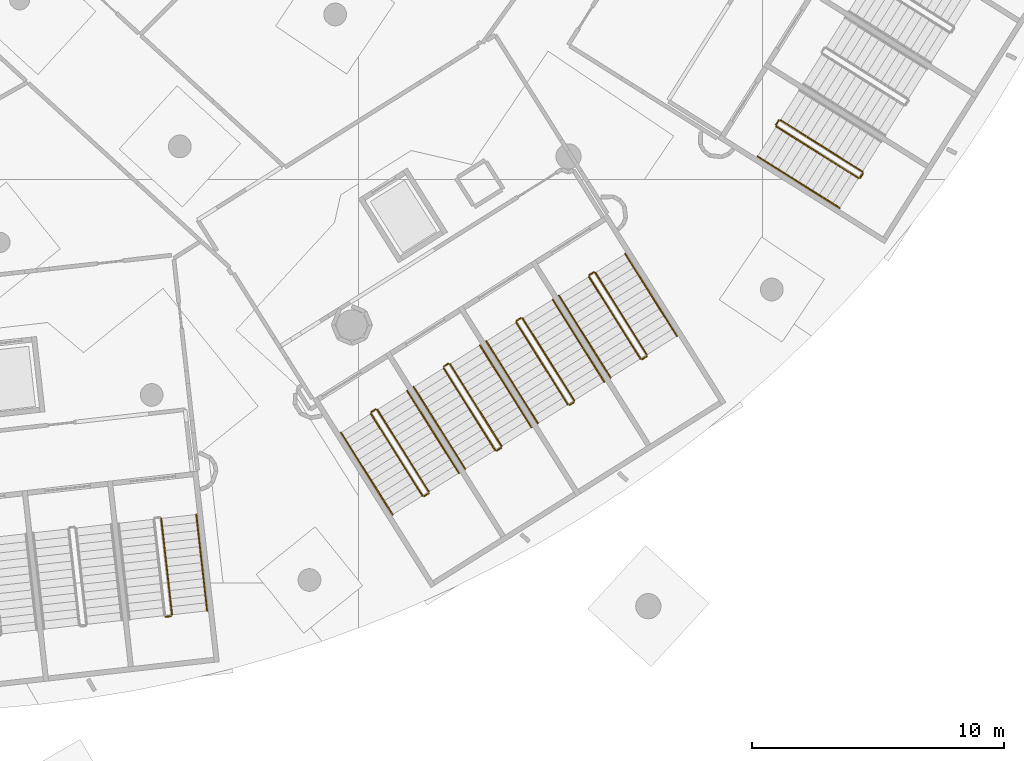
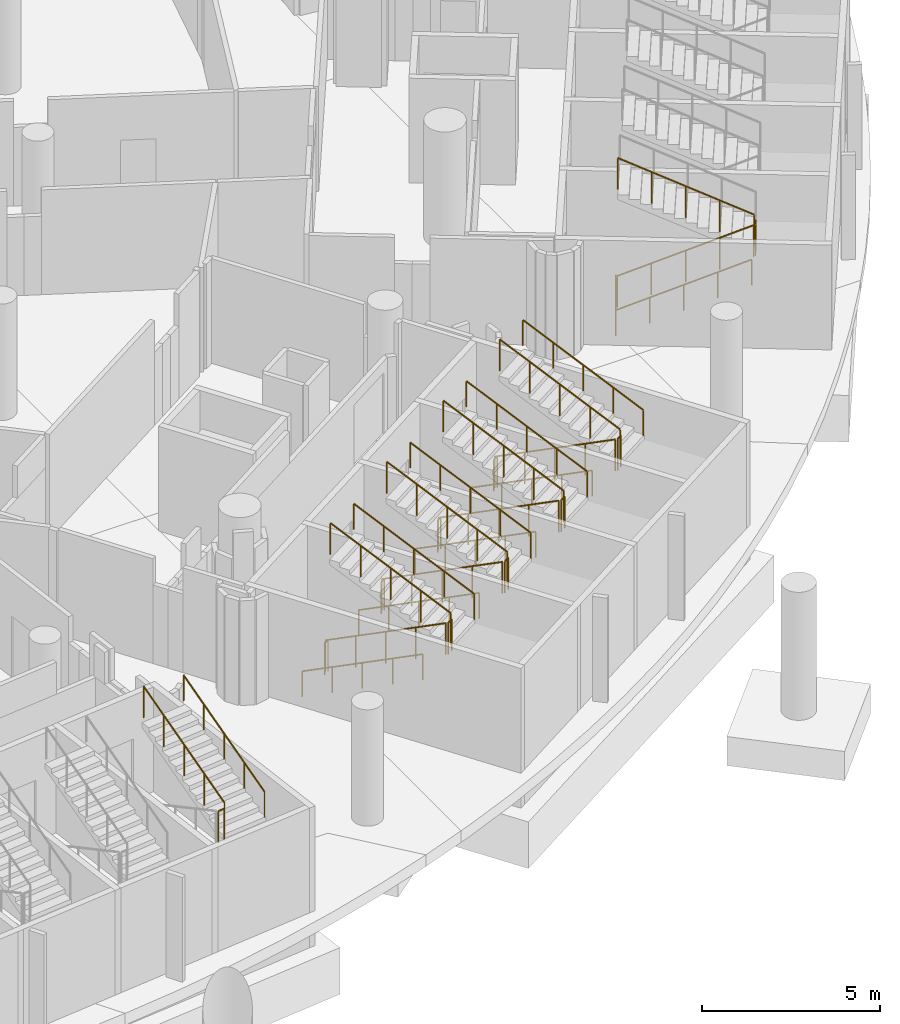
# One storey, part 121 of 142: 32 railings.
"""IFC4 building model written with IfcOpenShell, lengths in metres."""

from ifc_helpers import new_model, si_unit, direction, frame, origin, origin_2d, place, context, subcontext, project, spatial, circle, extrude, material, type_object, element, save


model = new_model("IFC4")

# Units and contexts
model_context = context("Model", 3, precision=1e-05, world=origin(), true_north=direction((0.0, 1.0)))
body_context = subcontext(model_context, "Body", "Model", "MODEL_VIEW")
ifc_project = project(units=[si_unit("LENGTHUNIT", "METRE"), si_unit("AREAUNIT", "SQUARE_METRE"), si_unit("VOLUMEUNIT", "CUBIC_METRE"), si_unit("PLANEANGLEUNIT", "RADIAN"), si_unit("MASSUNIT", "GRAM", prefix="KILO")], contexts=[model_context])

# Site, building, storey
site_placement = place(None, origin())
site = spatial("IfcSite", under=ifc_project, at=site_placement, CompositionType="ELEMENT")
building_placement = place(site_placement, origin())
building = spatial("IfcBuilding", under=site, at=building_placement, Name="Meseta Stadium", CompositionType="ELEMENT")
storey_placement = place(building_placement, frame((0.0, 0.0, -4.0)))
storey = spatial("IfcBuildingStorey", under=building, at=storey_placement, Name="B1", CompositionType="ELEMENT", Elevation=-4.0)

# Railings
ifc_material_1 = material(Name="Steel S355", Category="steel")
railing_type_1 = type_object("IfcRailingType", Name="Stair guard 1100", PredefinedType="GUARDRAIL", material=ifc_material_1)
railing_1_placement = place(storey_placement, frame((56.364013671875, -97.3271484375, 2.0)))
element("IfcRailing", 1, at=railing_1_placement, inside=storey, type_object=railing_type_1, Name="ST104 B1 guard 2", PredefinedType="GUARDRAIL", context=body_context, shape_type="SweptSolid", body=[
    extrude(circle(Radius=0.02392578125, at=origin_2d()), frame((0.0, 0.0, 1.076171875), z_axis=(0.993688916384, 0.112171018782, 0.0), x_axis=(-0.112171018782, 0.993688916384, 0.0)), (0.0, 0.0, 1.0), 0.2001953125),
    extrude(circle(Radius=0.02099609375, at=origin_2d()), origin(), (0.0, 0.0, 1.0), 1.052001953125),
    extrude(circle(Radius=0.02099609375, at=origin_2d()), frame((0.198974609375, 0.0224609375, 0.0)), (0.0, 0.0, 1.0), 1.052001953125),
])
railing_2_placement = place(storey_placement, frame((56.60693359375, -97.24951171875, 2.15380859375)))
element("IfcRailing", 2, at=railing_2_placement, inside=storey, type_object=railing_type_1, Name="ST104 B1 guard 3", PredefinedType="GUARDRAIL", context=body_context, shape_type="SweptSolid", body=[
    extrude(circle(Radius=0.02392578125, at=origin_2d()), frame((0.0, 0.0, 1.076171875), z_axis=(-0.100903756611, 0.89558530144, 0.433295972456), x_axis=(-0.993712761983, -0.111959576062, 0.0)), (0.0, 0.0, 1.0), 4.2607421875),
    extrude(circle(Radius=0.02099609375, at=origin_2d()), origin(), (0.0, 0.0, 1.0), 1.052001953125),
    extrude(circle(Radius=0.02099609375, at=origin_2d()), frame((-0.107421875, 0.9541015625, 0.46142578125)), (0.0, 0.0, 1.0), 1.052001953125),
    extrude(circle(Radius=0.02099609375, at=origin_2d()), frame((-0.21484375, 1.907958984375, 0.923095703125)), (0.0, 0.0, 1.0), 1.052001953125),
    extrude(circle(Radius=0.02099609375, at=origin_2d()), frame((-0.322509765625, 2.86181640625, 1.384765625)), (0.0, 0.0, 1.0), 1.052001953125),
    extrude(circle(Radius=0.02099609375, at=origin_2d()), frame((-0.429931640625, 3.81591796875, 1.84619140625)), (0.0, 0.0, 1.0), 1.052001953125),
])
railing_3_placement = place(storey_placement, frame((64.4853515625, -89.286865234375, 0.15380859375)))
element("IfcRailing", 3, at=railing_3_placement, inside=storey, type_object=railing_type_1, Name="ST105 B1 guard 1", PredefinedType="GUARDRAIL", context=body_context, shape_type="SweptSolid", body=[
    extrude(circle(Radius=0.02392578125, at=origin_2d()), frame((0.0, 0.0, 1.076171875), z_axis=(0.479483373968, -0.763116583952, 0.433299865434), x_axis=(0.84673147488, 0.532020497206, 0.0)), (0.0, 0.0, 1.0), 4.2607421875),
    extrude(circle(Radius=0.02099609375, at=origin_2d()), origin(), (0.0, 0.0, 1.0), 1.052001953125),
    extrude(circle(Radius=0.02099609375, at=origin_2d()), frame((0.5107421875, -0.81298828125, 0.46142578125)), (0.0, 0.0, 1.0), 1.052001953125),
    extrude(circle(Radius=0.02099609375, at=origin_2d()), frame((1.021484375, -1.625732421875, 0.923095703125)), (0.0, 0.0, 1.0), 1.052001953125),
    extrude(circle(Radius=0.02099609375, at=origin_2d()), frame((1.5322265625, -2.4384765625, 1.384765625)), (0.0, 0.0, 1.0), 1.052001953125),
    extrude(circle(Radius=0.02099609375, at=origin_2d()), frame((2.04296875, -3.25146484375, 1.84619140625)), (0.0, 0.0, 1.0), 1.052001953125),
])
railing_4_placement = place(storey_placement, frame((66.59716796875, -92.55419921875, 2.0)))
element("IfcRailing", 4, at=railing_4_placement, inside=storey, type_object=railing_type_1, Name="ST105 B1 guard 2", PredefinedType="GUARDRAIL", context=body_context, shape_type="SweptSolid", body=[
    extrude(circle(Radius=0.02392578125, at=origin_2d()), frame((0.0, 0.0, 1.076171875), z_axis=(0.846762178531, 0.531971628011, 0.0), x_axis=(-0.531971628011, 0.846762178531, 0.0)), (0.0, 0.0, 1.0), 0.2001953125),
    extrude(circle(Radius=0.02099609375, at=origin_2d()), origin(), (0.0, 0.0, 1.0), 1.052001953125),
    extrude(circle(Radius=0.02099609375, at=origin_2d()), frame((0.16943359375, 0.1064453125, 0.0)), (0.0, 0.0, 1.0), 1.052001953125),
])
railing_5_placement = place(storey_placement, frame((66.7822265625, -92.37890625, 2.15380859375)))
element("IfcRailing", 5, at=railing_5_placement, inside=storey, type_object=railing_type_1, Name="ST105 B1 guard 3", PredefinedType="GUARDRAIL", context=body_context, shape_type="SweptSolid", body=[
    extrude(circle(Radius=0.02392578125, at=origin_2d()), frame((0.0, 0.0, 1.076171875), z_axis=(-0.479483373968, 0.763116583952, 0.433299865434), x_axis=(-0.84673147488, -0.532020497206, 0.0)), (0.0, 0.0, 1.0), 4.2607421875),
    extrude(circle(Radius=0.02099609375, at=origin_2d()), origin(), (0.0, 0.0, 1.0), 1.052001953125),
    extrude(circle(Radius=0.02099609375, at=origin_2d()), frame((-0.5107421875, 0.81298828125, 0.46142578125)), (0.0, 0.0, 1.0), 1.052001953125),
    extrude(circle(Radius=0.02099609375, at=origin_2d()), frame((-1.021484375, 1.625732421875, 0.923095703125)), (0.0, 0.0, 1.0), 1.052001953125),
    extrude(circle(Radius=0.02099609375, at=origin_2d()), frame((-1.5322265625, 2.4384765625, 1.384765625)), (0.0, 0.0, 1.0), 1.052001953125),
    extrude(circle(Radius=0.02099609375, at=origin_2d()), frame((-2.04296875, 3.25146484375, 1.84619140625)), (0.0, 0.0, 1.0), 1.052001953125),
])
railing_6_placement = place(storey_placement, frame((64.5009765625, -89.218017578125, 0.0)))
element("IfcRailing", 6, at=railing_6_placement, inside=storey, type_object=railing_type_1, Name="ST105 B1 guard 4", PredefinedType="GUARDRAIL", context=body_context, shape_type="SweptSolid", body=[
    extrude(circle(Radius=0.02392578125, at=origin_2d()), frame((0.0, 0.0, 1.076171875), z_axis=(0.846762178531, 0.531971628011, 0.0), x_axis=(-0.531971628011, 0.846762178531, 0.0)), (0.0, 0.0, 1.0), 0.2001953125),
    extrude(circle(Radius=0.02099609375, at=origin_2d()), origin(), (0.0, 0.0, 1.0), 1.052001953125),
    extrude(circle(Radius=0.02099609375, at=origin_2d()), frame((0.16943359375, 0.1064453125, 0.0)), (0.0, 0.0, 1.0), 1.052001953125),
])
railing_7_placement = place(storey_placement, frame((67.3642578125, -87.47802734375, 0.15380859375)))
element("IfcRailing", 7, at=railing_7_placement, inside=storey, type_object=railing_type_1, Name="ST106 B1 guard 1", PredefinedType="GUARDRAIL", context=body_context, shape_type="SweptSolid", body=[
    extrude(circle(Radius=0.02392578125, at=origin_2d()), frame((0.0, 0.0, 1.076171875), z_axis=(0.479483373968, -0.763116583952, 0.433299865434), x_axis=(0.84673147488, 0.532020497206, 0.0)), (0.0, 0.0, 1.0), 4.2607421875),
    extrude(circle(Radius=0.02099609375, at=origin_2d()), origin(), (0.0, 0.0, 1.0), 1.052001953125),
    extrude(circle(Radius=0.02099609375, at=origin_2d()), frame((0.5107421875, -0.81298828125, 0.46142578125)), (0.0, 0.0, 1.0), 1.052001953125),
    extrude(circle(Radius=0.02099609375, at=origin_2d()), frame((1.021484375, -1.625732421875, 0.923095703125)), (0.0, 0.0, 1.0), 1.052001953125),
    extrude(circle(Radius=0.02099609375, at=origin_2d()), frame((1.5322265625, -2.4384765625, 1.384765625)), (0.0, 0.0, 1.0), 1.052001953125),
    extrude(circle(Radius=0.02099609375, at=origin_2d()), frame((2.04296875, -3.25146484375, 1.84619140625)), (0.0, 0.0, 1.0), 1.052001953125),
])
railing_8_placement = place(storey_placement, frame((69.47607421875, -90.7451171875, 2.0)))
element("IfcRailing", 8, at=railing_8_placement, inside=storey, type_object=railing_type_1, Name="ST106 B1 guard 2", PredefinedType="GUARDRAIL", context=body_context, shape_type="SweptSolid", body=[
    extrude(circle(Radius=0.02392578125, at=origin_2d()), frame((0.0, 0.0, 1.076171875), z_axis=(0.847311689252, 0.531095943551, 0.0), x_axis=(-0.531095943551, 0.847311689252, 0.0)), (0.0, 0.0, 1.0), 0.199951171875),
    extrude(circle(Radius=0.02099609375, at=origin_2d()), origin(), (0.0, 0.0, 1.0), 1.052001953125),
    extrude(circle(Radius=0.02099609375, at=origin_2d()), frame((0.16943359375, 0.106201171875, 0.0)), (0.0, 0.0, 1.0), 1.052001953125),
])
railing_9_placement = place(storey_placement, frame((69.6611328125, -90.56982421875, 2.15380859375)))
element("IfcRailing", 9, at=railing_9_placement, inside=storey, type_object=railing_type_1, Name="ST106 B1 guard 3", PredefinedType="GUARDRAIL", context=body_context, shape_type="SweptSolid", body=[
    extrude(circle(Radius=0.02392578125, at=origin_2d()), frame((0.0, 0.0, 1.076171875), z_axis=(-0.479483373968, 0.763116583952, 0.433299865434), x_axis=(-0.84673147488, -0.532020497206, 0.0)), (0.0, 0.0, 1.0), 4.2607421875),
    extrude(circle(Radius=0.02099609375, at=origin_2d()), origin(), (0.0, 0.0, 1.0), 1.052001953125),
    extrude(circle(Radius=0.02099609375, at=origin_2d()), frame((-0.5107421875, 0.81298828125, 0.46142578125)), (0.0, 0.0, 1.0), 1.052001953125),
    extrude(circle(Radius=0.02099609375, at=origin_2d()), frame((-1.021484375, 1.625732421875, 0.923095703125)), (0.0, 0.0, 1.0), 1.052001953125),
    extrude(circle(Radius=0.02099609375, at=origin_2d()), frame((-1.5322265625, 2.4384765625, 1.384765625)), (0.0, 0.0, 1.0), 1.052001953125),
    extrude(circle(Radius=0.02099609375, at=origin_2d()), frame((-2.04296875, 3.25146484375, 1.84619140625)), (0.0, 0.0, 1.0), 1.052001953125),
])
railing_10_placement = place(storey_placement, frame((67.3798828125, -87.4091796875, 0.0)))
element("IfcRailing", 10, at=railing_10_placement, inside=storey, type_object=railing_type_1, Name="ST106 B1 guard 4", PredefinedType="GUARDRAIL", context=body_context, shape_type="SweptSolid", body=[
    extrude(circle(Radius=0.02392578125, at=origin_2d()), frame((0.0, 0.0, 1.076171875), z_axis=(0.846762178531, 0.531971628011, 0.0), x_axis=(-0.531971628011, 0.846762178531, 0.0)), (0.0, 0.0, 1.0), 0.2001953125),
    extrude(circle(Radius=0.02099609375, at=origin_2d()), origin(), (0.0, 0.0, 1.0), 1.052001953125),
    extrude(circle(Radius=0.02099609375, at=origin_2d()), frame((0.16943359375, 0.1064453125, 0.0)), (0.0, 0.0, 1.0), 1.052001953125),
])
railing_11_placement = place(storey_placement, frame((70.242919921875, -85.669189453125, 0.15380859375)))
element("IfcRailing", 11, at=railing_11_placement, inside=storey, type_object=railing_type_1, Name="ST107 B1 guard 1", PredefinedType="GUARDRAIL", context=body_context, shape_type="SweptSolid", body=[
    extrude(circle(Radius=0.02392578125, at=origin_2d()), frame((0.0, 0.0, 1.076171875), z_axis=(0.479483373968, -0.763116583952, 0.433299865434), x_axis=(0.84673147488, 0.532020497206, 0.0)), (0.0, 0.0, 1.0), 4.2607421875),
    extrude(circle(Radius=0.02099609375, at=origin_2d()), origin(), (0.0, 0.0, 1.0), 1.052001953125),
    extrude(circle(Radius=0.02099609375, at=origin_2d()), frame((0.5107421875, -0.81298828125, 0.46142578125)), (0.0, 0.0, 1.0), 1.052001953125),
    extrude(circle(Radius=0.02099609375, at=origin_2d()), frame((1.021484375, -1.625732421875, 0.923095703125)), (0.0, 0.0, 1.0), 1.052001953125),
    extrude(circle(Radius=0.02099609375, at=origin_2d()), frame((1.5322265625, -2.4384765625, 1.384765625)), (0.0, 0.0, 1.0), 1.052001953125),
    extrude(circle(Radius=0.02099609375, at=origin_2d()), frame((2.04296875, -3.25146484375, 1.84619140625)), (0.0, 0.0, 1.0), 1.052001953125),
])
railing_12_placement = place(storey_placement, frame((72.35498046875, -88.936279296875, 2.0)))
element("IfcRailing", 12, at=railing_12_placement, inside=storey, type_object=railing_type_1, Name="ST107 B1 guard 2", PredefinedType="GUARDRAIL", context=body_context, shape_type="SweptSolid", body=[
    extrude(circle(Radius=0.02392578125, at=origin_2d()), frame((0.0, 0.0, 1.076171875), z_axis=(0.846416356806, 0.532521690573, 0.0), x_axis=(-0.532521690573, 0.846416356806, 0.0)), (0.0, 0.0, 1.0), 0.199951171875),
    extrude(circle(Radius=0.02099609375, at=origin_2d()), origin(), (0.0, 0.0, 1.0), 1.052001953125),
    extrude(circle(Radius=0.02099609375, at=origin_2d()), frame((0.169189453125, 0.1064453125, 0.0)), (0.0, 0.0, 1.0), 1.052001953125),
])
railing_13_placement = place(storey_placement, frame((72.5400390625, -88.760986328125, 2.15380859375)))
element("IfcRailing", 13, at=railing_13_placement, inside=storey, type_object=railing_type_1, Name="ST107 B1 guard 3", PredefinedType="GUARDRAIL", context=body_context, shape_type="SweptSolid", body=[
    extrude(circle(Radius=0.02392578125, at=origin_2d()), frame((0.0, 0.0, 1.076171875), z_axis=(-0.479483373968, 0.763116583952, 0.433299865434), x_axis=(-0.84673147488, -0.532020497206, 0.0)), (0.0, 0.0, 1.0), 4.2607421875),
    extrude(circle(Radius=0.02099609375, at=origin_2d()), origin(), (0.0, 0.0, 1.0), 1.052001953125),
    extrude(circle(Radius=0.02099609375, at=origin_2d()), frame((-0.5107421875, 0.81298828125, 0.46142578125)), (0.0, 0.0, 1.0), 1.052001953125),
    extrude(circle(Radius=0.02099609375, at=origin_2d()), frame((-1.021484375, 1.625732421875, 0.923095703125)), (0.0, 0.0, 1.0), 1.052001953125),
    extrude(circle(Radius=0.02099609375, at=origin_2d()), frame((-1.5322265625, 2.4384765625, 1.384765625)), (0.0, 0.0, 1.0), 1.052001953125),
    extrude(circle(Radius=0.02099609375, at=origin_2d()), frame((-2.04296875, 3.25146484375, 1.84619140625)), (0.0, 0.0, 1.0), 1.052001953125),
])
railing_14_placement = place(storey_placement, frame((70.2587890625, -85.600341796875, 0.0)))
element("IfcRailing", 14, at=railing_14_placement, inside=storey, type_object=railing_type_1, Name="ST107 B1 guard 4", PredefinedType="GUARDRAIL", context=body_context, shape_type="SweptSolid", body=[
    extrude(circle(Radius=0.02392578125, at=origin_2d()), frame((0.0, 0.0, 1.076171875), z_axis=(0.846416356806, 0.532521690573, 0.0), x_axis=(-0.532521690573, 0.846416356806, 0.0)), (0.0, 0.0, 1.0), 0.199951171875),
    extrude(circle(Radius=0.02099609375, at=origin_2d()), origin(), (0.0, 0.0, 1.0), 1.052001953125),
    extrude(circle(Radius=0.02099609375, at=origin_2d()), frame((0.169189453125, 0.1064453125, 0.0)), (0.0, 0.0, 1.0), 1.052001953125),
])
railing_15_placement = place(storey_placement, frame((73.121826171875, -83.8603515625, 0.15380859375)))
element("IfcRailing", 15, at=railing_15_placement, inside=storey, type_object=railing_type_1, Name="ST108 B1 guard 1", PredefinedType="GUARDRAIL", context=body_context, shape_type="SweptSolid", body=[
    extrude(circle(Radius=0.02392578125, at=origin_2d()), frame((0.0, 0.0, 1.076171875), z_axis=(0.479504340592, -0.763092651012, 0.433318812567), x_axis=(0.846713477947, 0.532049138955, 0.0)), (0.0, 0.0, 1.0), 4.260498046875),
    extrude(circle(Radius=0.02099609375, at=origin_2d()), origin(), (0.0, 0.0, 1.0), 1.052001953125),
    extrude(circle(Radius=0.02099609375, at=origin_2d()), frame((0.5107421875, -0.812744140625, 0.46142578125)), (0.0, 0.0, 1.0), 1.052001953125),
    extrude(circle(Radius=0.02099609375, at=origin_2d()), frame((1.021484375, -1.62548828125, 0.923095703125)), (0.0, 0.0, 1.0), 1.052001953125),
    extrude(circle(Radius=0.02099609375, at=origin_2d()), frame((1.5322265625, -2.4384765625, 1.384765625)), (0.0, 0.0, 1.0), 1.052001953125),
    extrude(circle(Radius=0.02099609375, at=origin_2d()), frame((2.04296875, -3.251220703125, 1.84619140625)), (0.0, 0.0, 1.0), 1.052001953125),
])
railing_16_placement = place(storey_placement, frame((75.23388671875, -87.12744140625, 2.0)))
element("IfcRailing", 16, at=railing_16_placement, inside=storey, type_object=railing_type_1, Name="ST108 B1 guard 2", PredefinedType="GUARDRAIL", context=body_context, shape_type="SweptSolid", body=[
    extrude(circle(Radius=0.02392578125, at=origin_2d()), frame((0.0, 0.0, 1.076171875), z_axis=(0.846416356806, 0.532521690573, 0.0), x_axis=(-0.532521690573, 0.846416356806, 0.0)), (0.0, 0.0, 1.0), 0.199951171875),
    extrude(circle(Radius=0.02099609375, at=origin_2d()), origin(), (0.0, 0.0, 1.0), 1.052001953125),
    extrude(circle(Radius=0.02099609375, at=origin_2d()), frame((0.169189453125, 0.1064453125, 0.0)), (0.0, 0.0, 1.0), 1.052001953125),
])
railing_17_placement = place(storey_placement, frame((75.4189453125, -86.9521484375, 2.15380859375)))
element("IfcRailing", 17, at=railing_17_placement, inside=storey, type_object=railing_type_1, Name="ST108 B1 guard 3", PredefinedType="GUARDRAIL", context=body_context, shape_type="SweptSolid", body=[
    extrude(circle(Radius=0.02392578125, at=origin_2d()), frame((0.0, 0.0, 1.076171875), z_axis=(-0.479483373968, 0.763116583952, 0.433299865434), x_axis=(-0.84673147488, -0.532020497206, 0.0)), (0.0, 0.0, 1.0), 4.2607421875),
    extrude(circle(Radius=0.02099609375, at=origin_2d()), origin(), (0.0, 0.0, 1.0), 1.052001953125),
    extrude(circle(Radius=0.02099609375, at=origin_2d()), frame((-0.5107421875, 0.81298828125, 0.46142578125)), (0.0, 0.0, 1.0), 1.052001953125),
    extrude(circle(Radius=0.02099609375, at=origin_2d()), frame((-1.021484375, 1.625732421875, 0.923095703125)), (0.0, 0.0, 1.0), 1.052001953125),
    extrude(circle(Radius=0.02099609375, at=origin_2d()), frame((-1.5322265625, 2.4384765625, 1.384765625)), (0.0, 0.0, 1.0), 1.052001953125),
    extrude(circle(Radius=0.02099609375, at=origin_2d()), frame((-2.04296875, 3.25146484375, 1.84619140625)), (0.0, 0.0, 1.0), 1.052001953125),
])
railing_18_placement = place(storey_placement, frame((73.1376953125, -83.791259765625, 0.0)))
element("IfcRailing", 18, at=railing_18_placement, inside=storey, type_object=railing_type_1, Name="ST108 B1 guard 4", PredefinedType="GUARDRAIL", context=body_context, shape_type="SweptSolid", body=[
    extrude(circle(Radius=0.02392578125, at=origin_2d()), frame((0.0, 0.0, 1.076171875), z_axis=(0.846416356806, 0.532521690573, 0.0), x_axis=(-0.532521690573, 0.846416356806, 0.0)), (0.0, 0.0, 1.0), 0.199951171875),
    extrude(circle(Radius=0.02099609375, at=origin_2d()), origin(), (0.0, 0.0, 1.0), 1.052001953125),
    extrude(circle(Radius=0.02099609375, at=origin_2d()), frame((0.169189453125, 0.1064453125, 0.0)), (0.0, 0.0, 1.0), 1.052001953125),
])
railing_19_placement = place(storey_placement, frame((80.54736328125, -77.907958984375, 0.15380859375)))
element("IfcRailing", 19, at=railing_19_placement, inside=storey, type_object=railing_type_1, Name="ST109 B1 guard 1", PredefinedType="GUARDRAIL", context=body_context, shape_type="SweptSolid", body=[
    extrude(circle(Radius=0.02392578125, at=origin_2d()), frame((0.0, 0.0, 1.076171875), z_axis=(0.763116583952, -0.479483373968, 0.433299865434), x_axis=(0.532020497206, 0.84673147488, 0.0)), (0.0, 0.0, 1.0), 4.2607421875),
    extrude(circle(Radius=0.02099609375, at=origin_2d()), origin(), (0.0, 0.0, 1.0), 1.052001953125),
    extrude(circle(Radius=0.02099609375, at=origin_2d()), frame((0.81298828125, -0.5107421875, 0.46142578125)), (0.0, 0.0, 1.0), 1.052001953125),
    extrude(circle(Radius=0.02099609375, at=origin_2d()), frame((1.625732421875, -1.021484375, 0.923095703125)), (0.0, 0.0, 1.0), 1.052001953125),
    extrude(circle(Radius=0.02099609375, at=origin_2d()), frame((2.4384765625, -1.5322265625, 1.384765625)), (0.0, 0.0, 1.0), 1.052001953125),
    extrude(circle(Radius=0.02099609375, at=origin_2d()), frame((3.25146484375, -2.04296875, 1.84619140625)), (0.0, 0.0, 1.0), 1.052001953125),
])
railing_20_placement = place(storey_placement, frame((83.86767578125, -79.935302734375, 2.0)))
element("IfcRailing", 20, at=railing_20_placement, inside=storey, type_object=railing_type_1, Name="ST109 B1 guard 2", PredefinedType="GUARDRAIL", context=body_context, shape_type="SweptSolid", body=[
    extrude(circle(Radius=0.02392578125, at=origin_2d()), frame((0.0, 0.0, 1.076171875), z_axis=(0.531971628011, 0.846762178531, 0.0), x_axis=(-0.846762178531, 0.531971628011, 0.0)), (0.0, 0.0, 1.0), 0.2001953125),
    extrude(circle(Radius=0.02099609375, at=origin_2d()), origin(), (0.0, 0.0, 1.0), 1.052001953125),
    extrude(circle(Radius=0.02099609375, at=origin_2d()), frame((0.1064453125, 0.16943359375, 0.0)), (0.0, 0.0, 1.0), 1.052001953125),
])
railing_21_placement = place(storey_placement, frame((83.95849609375, -79.697021484375, 2.15380859375)))
element("IfcRailing", 21, at=railing_21_placement, inside=storey, type_object=railing_type_1, Name="ST109 B1 guard 3", PredefinedType="GUARDRAIL", context=body_context, shape_type="SweptSolid", body=[
    extrude(circle(Radius=0.02392578125, at=origin_2d()), frame((0.0, 0.0, 1.076171875), z_axis=(-0.763095617528, 0.479527498355, 0.433287960636), x_axis=(-0.53206607739, -0.846702834111, 0.0)), (0.0, 0.0, 1.0), 4.260986328125),
    extrude(circle(Radius=0.02099609375, at=origin_2d()), origin(), (0.0, 0.0, 1.0), 1.052001953125),
    extrude(circle(Radius=0.02099609375, at=origin_2d()), frame((-0.81298828125, 0.5107421875, 0.46142578125)), (0.0, 0.0, 1.0), 1.052001953125),
    extrude(circle(Radius=0.02099609375, at=origin_2d()), frame((-1.625732421875, 1.021484375, 0.923095703125)), (0.0, 0.0, 1.0), 1.052001953125),
    extrude(circle(Radius=0.02099609375, at=origin_2d()), frame((-2.4384765625, 1.532470703125, 1.384765625)), (0.0, 0.0, 1.0), 1.052001953125),
    extrude(circle(Radius=0.02099609375, at=origin_2d()), frame((-3.25146484375, 2.043212890625, 1.84619140625)), (0.0, 0.0, 1.0), 1.052001953125),
])
railing_22_placement = place(storey_placement, frame((80.53173828125, -77.8388671875, 0.0)))
element("IfcRailing", 22, at=railing_22_placement, inside=storey, type_object=railing_type_1, Name="ST109 B1 guard 4", PredefinedType="GUARDRAIL", context=body_context, shape_type="SweptSolid", body=[
    extrude(circle(Radius=0.02392578125, at=origin_2d()), frame((0.0, 0.0, 1.076171875), z_axis=(0.531645814745, 0.846966780732, 0.0), x_axis=(-0.846966780732, 0.531645814745, 0.0)), (0.0, 0.0, 1.0), 0.19970703125),
    extrude(circle(Radius=0.02099609375, at=origin_2d()), origin(), (0.0, 0.0, 1.0), 1.052001953125),
    extrude(circle(Radius=0.02099609375, at=origin_2d()), frame((0.106201171875, 0.169189453125, 0.0)), (0.0, 0.0, 1.0), 1.052001953125),
])
ifc_material_2 = material(Name="Steel S355", Category="steel")
railing_type_2 = type_object("IfcRailingType", Name="Stair handrail 900", PredefinedType="HANDRAIL", material=ifc_material_2)
railing_23_placement = place(storey_placement, frame((57.998046875, -97.0927734375, 2.15380859375)))
element("IfcRailing", 23, at=railing_23_placement, inside=storey, type_object=railing_type_2, Name="ST104 B1 handrail 2", PredefinedType="HANDRAIL", context=body_context, shape_type="SweptSolid", body=[
    extrude(circle(Radius=0.02392578125, at=origin_2d()), frame((0.0, 0.0, 0.8759765625), z_axis=(-0.100903756611, 0.89558530144, 0.433295972456), x_axis=(-0.993712761983, -0.111959576062, 0.0)), (0.0, 0.0, 1.0), 4.2607421875),
    extrude(circle(Radius=0.02099609375, at=origin_2d()), origin(), (0.0, 0.0, 1.0), 0.851806640625),
    extrude(circle(Radius=0.02099609375, at=origin_2d()), frame((-0.107421875, 0.9541015625, 0.46142578125)), (0.0, 0.0, 1.0), 0.851806640625),
    extrude(circle(Radius=0.02099609375, at=origin_2d()), frame((-0.21484375, 1.907958984375, 0.923095703125)), (0.0, 0.0, 1.0), 0.851806640625),
    extrude(circle(Radius=0.02099609375, at=origin_2d()), frame((-0.322509765625, 2.86181640625, 1.384765625)), (0.0, 0.0, 1.0), 0.851806640625),
    extrude(circle(Radius=0.02099609375, at=origin_2d()), frame((-0.429931640625, 3.81591796875, 1.84619140625)), (0.0, 0.0, 1.0), 0.851806640625),
])
railing_24_placement = place(storey_placement, frame((63.2998046875, -90.03173828125, 0.15380859375)))
element("IfcRailing", 24, at=railing_24_placement, inside=storey, type_object=railing_type_2, Name="ST105 B1 handrail 1", PredefinedType="HANDRAIL", context=body_context, shape_type="SweptSolid", body=[
    extrude(circle(Radius=0.02392578125, at=origin_2d()), frame((0.0, 0.0, 0.8759765625), z_axis=(0.479483373968, -0.763116583952, 0.433299865434), x_axis=(0.84673147488, 0.532020497206, 0.0)), (0.0, 0.0, 1.0), 4.2607421875),
    extrude(circle(Radius=0.02099609375, at=origin_2d()), origin(), (0.0, 0.0, 1.0), 0.851806640625),
    extrude(circle(Radius=0.02099609375, at=origin_2d()), frame((0.5107421875, -0.81298828125, 0.46142578125)), (0.0, 0.0, 1.0), 0.851806640625),
    extrude(circle(Radius=0.02099609375, at=origin_2d()), frame((1.021484375, -1.625732421875, 0.923095703125)), (0.0, 0.0, 1.0), 0.851806640625),
    extrude(circle(Radius=0.02099609375, at=origin_2d()), frame((1.5322265625, -2.4384765625, 1.384765625)), (0.0, 0.0, 1.0), 0.851806640625),
    extrude(circle(Radius=0.02099609375, at=origin_2d()), frame((2.04296875, -3.25146484375, 1.84619140625)), (0.0, 0.0, 1.0), 0.851806640625),
])
railing_25_placement = place(storey_placement, frame((67.9677734375, -91.634033203125, 2.15380859375)))
element("IfcRailing", 25, at=railing_25_placement, inside=storey, type_object=railing_type_2, Name="ST105 B1 handrail 2", PredefinedType="HANDRAIL", context=body_context, shape_type="SweptSolid", body=[
    extrude(circle(Radius=0.02392578125, at=origin_2d()), frame((0.0, 0.0, 0.8759765625), z_axis=(-0.479483373968, 0.763116583952, 0.433299865434), x_axis=(-0.84673147488, -0.532020497206, 0.0)), (0.0, 0.0, 1.0), 4.2607421875),
    extrude(circle(Radius=0.02099609375, at=origin_2d()), origin(), (0.0, 0.0, 1.0), 0.851806640625),
    extrude(circle(Radius=0.02099609375, at=origin_2d()), frame((-0.5107421875, 0.81298828125, 0.46142578125)), (0.0, 0.0, 1.0), 0.851806640625),
    extrude(circle(Radius=0.02099609375, at=origin_2d()), frame((-1.021484375, 1.625732421875, 0.923095703125)), (0.0, 0.0, 1.0), 0.851806640625),
    extrude(circle(Radius=0.02099609375, at=origin_2d()), frame((-1.5322265625, 2.4384765625, 1.384765625)), (0.0, 0.0, 1.0), 0.851806640625),
    extrude(circle(Radius=0.02099609375, at=origin_2d()), frame((-2.04296875, 3.25146484375, 1.84619140625)), (0.0, 0.0, 1.0), 0.851806640625),
])
railing_26_placement = place(storey_placement, frame((66.1787109375, -88.222900390625, 0.15380859375)))
element("IfcRailing", 26, at=railing_26_placement, inside=storey, type_object=railing_type_2, Name="ST106 B1 handrail 1", PredefinedType="HANDRAIL", context=body_context, shape_type="SweptSolid", body=[
    extrude(circle(Radius=0.02392578125, at=origin_2d()), frame((0.0, 0.0, 0.8759765625), z_axis=(0.479483373968, -0.763116583952, 0.433299865434), x_axis=(0.84673147488, 0.532020497206, 0.0)), (0.0, 0.0, 1.0), 4.2607421875),
    extrude(circle(Radius=0.02099609375, at=origin_2d()), origin(), (0.0, 0.0, 1.0), 0.851806640625),
    extrude(circle(Radius=0.02099609375, at=origin_2d()), frame((0.5107421875, -0.81298828125, 0.46142578125)), (0.0, 0.0, 1.0), 0.851806640625),
    extrude(circle(Radius=0.02099609375, at=origin_2d()), frame((1.021484375, -1.625732421875, 0.923095703125)), (0.0, 0.0, 1.0), 0.851806640625),
    extrude(circle(Radius=0.02099609375, at=origin_2d()), frame((1.5322265625, -2.4384765625, 1.384765625)), (0.0, 0.0, 1.0), 0.851806640625),
    extrude(circle(Radius=0.02099609375, at=origin_2d()), frame((2.04296875, -3.25146484375, 1.84619140625)), (0.0, 0.0, 1.0), 0.851806640625),
])
railing_27_placement = place(storey_placement, frame((70.8466796875, -89.824951171875, 2.15380859375)))
element("IfcRailing", 27, at=railing_27_placement, inside=storey, type_object=railing_type_2, Name="ST106 B1 handrail 2", PredefinedType="HANDRAIL", context=body_context, shape_type="SweptSolid", body=[
    extrude(circle(Radius=0.02392578125, at=origin_2d()), frame((0.0, 0.0, 0.8759765625), z_axis=(-0.479548465756, 0.763071683412, 0.433306906207), x_axis=(-0.846684834703, -0.532094719654, 0.0)), (0.0, 0.0, 1.0), 4.2607421875),
    extrude(circle(Radius=0.02099609375, at=origin_2d()), origin(), (0.0, 0.0, 1.0), 0.851806640625),
    extrude(circle(Radius=0.02099609375, at=origin_2d()), frame((-0.5107421875, 0.812744140625, 0.46142578125)), (0.0, 0.0, 1.0), 0.851806640625),
    extrude(circle(Radius=0.02099609375, at=origin_2d()), frame((-1.021484375, 1.62548828125, 0.923095703125)), (0.0, 0.0, 1.0), 0.851806640625),
    extrude(circle(Radius=0.02099609375, at=origin_2d()), frame((-1.532470703125, 2.4384765625, 1.384765625)), (0.0, 0.0, 1.0), 0.851806640625),
    extrude(circle(Radius=0.02099609375, at=origin_2d()), frame((-2.043212890625, 3.251220703125, 1.84619140625)), (0.0, 0.0, 1.0), 0.851806640625),
])
railing_28_placement = place(storey_placement, frame((69.0576171875, -86.4140625, 0.15380859375)))
element("IfcRailing", 28, at=railing_28_placement, inside=storey, type_object=railing_type_2, Name="ST107 B1 handrail 1", PredefinedType="HANDRAIL", context=body_context, shape_type="SweptSolid", body=[
    extrude(circle(Radius=0.02392578125, at=origin_2d()), frame((0.0, 0.0, 0.8759765625), z_axis=(0.479483373968, -0.763116583952, 0.433299865434), x_axis=(0.84673147488, 0.532020497206, 0.0)), (0.0, 0.0, 1.0), 4.2607421875),
    extrude(circle(Radius=0.02099609375, at=origin_2d()), origin(), (0.0, 0.0, 1.0), 0.851806640625),
    extrude(circle(Radius=0.02099609375, at=origin_2d()), frame((0.5107421875, -0.81298828125, 0.46142578125)), (0.0, 0.0, 1.0), 0.851806640625),
    extrude(circle(Radius=0.02099609375, at=origin_2d()), frame((1.021484375, -1.625732421875, 0.923095703125)), (0.0, 0.0, 1.0), 0.851806640625),
    extrude(circle(Radius=0.02099609375, at=origin_2d()), frame((1.5322265625, -2.4384765625, 1.384765625)), (0.0, 0.0, 1.0), 0.851806640625),
    extrude(circle(Radius=0.02099609375, at=origin_2d()), frame((2.04296875, -3.25146484375, 1.84619140625)), (0.0, 0.0, 1.0), 0.851806640625),
])
railing_29_placement = place(storey_placement, frame((73.725341796875, -88.01611328125, 2.15380859375)))
element("IfcRailing", 29, at=railing_29_placement, inside=storey, type_object=railing_type_2, Name="ST107 B1 handrail 2", PredefinedType="HANDRAIL", context=body_context, shape_type="SweptSolid", body=[
    extrude(circle(Radius=0.02392578125, at=origin_2d()), frame((0.0, 0.0, 0.8759765625), z_axis=(-0.479483373968, 0.763116583952, 0.433299865434), x_axis=(-0.84673147488, -0.532020497206, 0.0)), (0.0, 0.0, 1.0), 4.2607421875),
    extrude(circle(Radius=0.02099609375, at=origin_2d()), origin(), (0.0, 0.0, 1.0), 0.851806640625),
    extrude(circle(Radius=0.02099609375, at=origin_2d()), frame((-0.5107421875, 0.81298828125, 0.46142578125)), (0.0, 0.0, 1.0), 0.851806640625),
    extrude(circle(Radius=0.02099609375, at=origin_2d()), frame((-1.021484375, 1.625732421875, 0.923095703125)), (0.0, 0.0, 1.0), 0.851806640625),
    extrude(circle(Radius=0.02099609375, at=origin_2d()), frame((-1.5322265625, 2.4384765625, 1.384765625)), (0.0, 0.0, 1.0), 0.851806640625),
    extrude(circle(Radius=0.02099609375, at=origin_2d()), frame((-2.04296875, 3.25146484375, 1.84619140625)), (0.0, 0.0, 1.0), 0.851806640625),
])
railing_30_placement = place(storey_placement, frame((71.9365234375, -84.60498046875, 0.15380859375)))
element("IfcRailing", 30, at=railing_30_placement, inside=storey, type_object=railing_type_2, Name="ST108 B1 handrail 1", PredefinedType="HANDRAIL", context=body_context, shape_type="SweptSolid", body=[
    extrude(circle(Radius=0.02392578125, at=origin_2d()), frame((0.0, 0.0, 0.8759765625), z_axis=(0.479483373968, -0.763116583952, 0.433299865434), x_axis=(0.84673147488, 0.532020497206, 0.0)), (0.0, 0.0, 1.0), 4.2607421875),
    extrude(circle(Radius=0.02099609375, at=origin_2d()), origin(), (0.0, 0.0, 1.0), 0.851806640625),
    extrude(circle(Radius=0.02099609375, at=origin_2d()), frame((0.5107421875, -0.81298828125, 0.46142578125)), (0.0, 0.0, 1.0), 0.851806640625),
    extrude(circle(Radius=0.02099609375, at=origin_2d()), frame((1.021484375, -1.625732421875, 0.923095703125)), (0.0, 0.0, 1.0), 0.851806640625),
    extrude(circle(Radius=0.02099609375, at=origin_2d()), frame((1.5322265625, -2.4384765625, 1.384765625)), (0.0, 0.0, 1.0), 0.851806640625),
    extrude(circle(Radius=0.02099609375, at=origin_2d()), frame((2.04296875, -3.25146484375, 1.84619140625)), (0.0, 0.0, 1.0), 0.851806640625),
])
railing_31_placement = place(storey_placement, frame((76.604248046875, -86.207275390625, 2.15380859375)))
element("IfcRailing", 31, at=railing_31_placement, inside=storey, type_object=railing_type_2, Name="ST108 B1 handrail 2", PredefinedType="HANDRAIL", context=body_context, shape_type="SweptSolid", body=[
    extrude(circle(Radius=0.02392578125, at=origin_2d()), frame((0.0, 0.0, 0.8759765625), z_axis=(-0.479483373968, 0.763116583952, 0.433299865434), x_axis=(-0.84673147488, -0.532020497206, 0.0)), (0.0, 0.0, 1.0), 4.2607421875),
    extrude(circle(Radius=0.02099609375, at=origin_2d()), origin(), (0.0, 0.0, 1.0), 0.851806640625),
    extrude(circle(Radius=0.02099609375, at=origin_2d()), frame((-0.5107421875, 0.81298828125, 0.46142578125)), (0.0, 0.0, 1.0), 0.851806640625),
    extrude(circle(Radius=0.02099609375, at=origin_2d()), frame((-1.021484375, 1.625732421875, 0.923095703125)), (0.0, 0.0, 1.0), 0.851806640625),
    extrude(circle(Radius=0.02099609375, at=origin_2d()), frame((-1.5322265625, 2.4384765625, 1.384765625)), (0.0, 0.0, 1.0), 0.851806640625),
    extrude(circle(Radius=0.02099609375, at=origin_2d()), frame((-2.04296875, 3.25146484375, 1.84619140625)), (0.0, 0.0, 1.0), 0.851806640625),
])
railing_32_placement = place(storey_placement, frame((79.802490234375, -79.09326171875, 0.15380859375)))
element("IfcRailing", 32, at=railing_32_placement, inside=storey, type_object=railing_type_2, Name="ST109 B1 handrail 1", PredefinedType="HANDRAIL", context=body_context, shape_type="SweptSolid", body=[
    extrude(circle(Radius=0.02392578125, at=origin_2d()), frame((0.0, 0.0, 0.8759765625), z_axis=(0.763116583952, -0.479483373968, 0.433299865434), x_axis=(0.532020497206, 0.84673147488, 0.0)), (0.0, 0.0, 1.0), 4.2607421875),
    extrude(circle(Radius=0.02099609375, at=origin_2d()), origin(), (0.0, 0.0, 1.0), 0.851806640625),
    extrude(circle(Radius=0.02099609375, at=origin_2d()), frame((0.81298828125, -0.5107421875, 0.46142578125)), (0.0, 0.0, 1.0), 0.851806640625),
    extrude(circle(Radius=0.02099609375, at=origin_2d()), frame((1.625732421875, -1.021484375, 0.923095703125)), (0.0, 0.0, 1.0), 0.851806640625),
    extrude(circle(Radius=0.02099609375, at=origin_2d()), frame((2.4384765625, -1.5322265625, 1.384765625)), (0.0, 0.0, 1.0), 0.851806640625),
    extrude(circle(Radius=0.02099609375, at=origin_2d()), frame((3.25146484375, -2.04296875, 1.84619140625)), (0.0, 0.0, 1.0), 0.851806640625),
])

save(model, "model.ifc")
